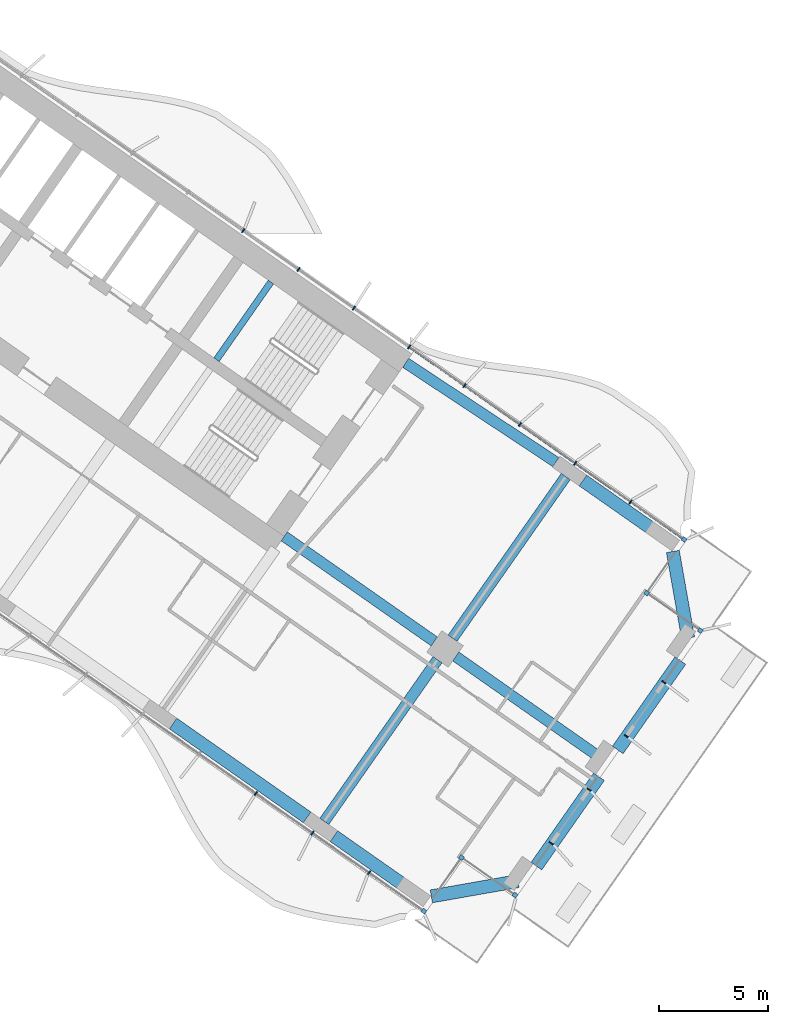
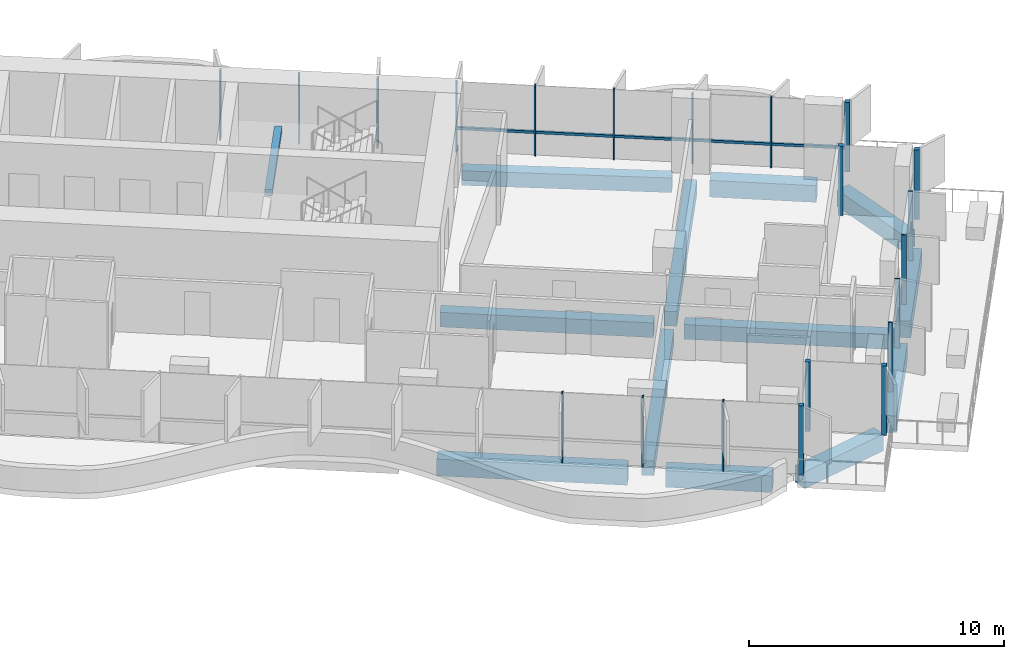
# One storey, part 9 of 25: 22 members, 13 beams, 6 elements without a shape of their own.
"""IFC4 building model written with IfcOpenShell, lengths in metres."""

from ifc_helpers import new_model, si_unit, direction, frame, origin, origin_2d, place, context, subcontext, project, spatial, rectangle, extrude, material, material_profile, profile_set, type_object, element, aggregate, save


model = new_model("IFC4")

# Units and contexts
model_context = context("Model", 3, precision=1e-05, world=origin(), true_north=direction((0.0, 1.0)))
body_context = subcontext(model_context, "Body", "Model", "MODEL_VIEW")
ifc_project = project(units=[si_unit("LENGTHUNIT", "METRE"), si_unit("AREAUNIT", "SQUARE_METRE"), si_unit("VOLUMEUNIT", "CUBIC_METRE"), si_unit("PLANEANGLEUNIT", "RADIAN"), si_unit("MASSUNIT", "GRAM", prefix="KILO")], contexts=[model_context])

# Site, building, storey
site_placement = place(None, origin())
site = spatial("IfcSite", under=ifc_project, at=site_placement, CompositionType="ELEMENT")
building_placement = place(site_placement, origin())
building = spatial("IfcBuilding", under=site, at=building_placement, Name="Tel Ilan Convention Tower", CompositionType="ELEMENT")
storey_placement = place(building_placement, frame((0.0, 0.0, 76.10009765625)))
storey = spatial("IfcBuildingStorey", under=building, at=storey_placement, Name="L14", CompositionType="ELEMENT", Elevation=76.10009765625)

# Beams
ifc_material_1 = material(Name="Concrete C40/50", Category="concrete")
ifc_material_profile_1 = material_profile(ifc_material_1, rectangle(XDim=0.5, YDim=0.699951171875, at=origin_2d()), Name="RC 500x700")
ifc_profile_set_1 = profile_set([ifc_material_profile_1], Name="Concrete C40/50")
beam_type_1 = type_object("IfcBeamType", Name="Beam RC 500x700 Concrete C40/50", PredefinedType="BEAM", material=ifc_profile_set_1)
beam_1_placement = place(storey_placement, frame((34.570556640625, -12.08447265625, -0.630126953125), z_axis=(-0.834273603487, 0.551350663847, 0.0), x_axis=(-0.551350663847, -0.834273603487, 0.0)))
element("IfcBeam", 1, at=beam_1_placement, inside=storey, type_object=beam_type_1, Name="L14 beam E-E-B4-core", PredefinedType="BEAM", context=body_context, shape_type="SweptSolid", body=[
    extrude(rectangle(XDim=0.5, YDim=0.699951171875, at=origin_2d()), origin(), (0.0, 0.0, 1.0), 8.2529296875),
])
beam_2_placement = place(storey_placement, frame((22.1171875, -15.486572265625, -0.630126953125), z_axis=(0.819147254605, -0.573583276668, 0.0), x_axis=(0.573583276668, 0.819147254605, 0.0)))
element("IfcBeam", 2, at=beam_2_placement, inside=storey, type_object=beam_type_1, Name="L14 beam E-core-E-M4", PredefinedType="BEAM", context=body_context, shape_type="SweptSolid", body=[
    extrude(rectangle(XDim=0.5, YDim=0.699951171875, at=origin_2d()), origin(), (0.0, 0.0, 1.0), 8.400146484375),
])
beam_3_placement = place(storey_placement, frame((29.98095703125, -20.992919921875, -0.630126953125), z_axis=(0.819147002204, -0.573583637128, 0.0), x_axis=(0.573583637128, 0.819147002204, 0.0)))
element("IfcBeam", 3, at=beam_3_placement, inside=storey, type_object=beam_type_1, Name="L14 beam E-E-M4-end", PredefinedType="BEAM", context=body_context, shape_type="SweptSolid", body=[
    extrude(rectangle(XDim=0.5, YDim=0.699951171875, at=origin_2d()), origin(), (0.0, 0.0, 1.0), 8.239990234375),
])
for number, where, z_axis, x_axis, name in (
    (4, (29.145263671875, -21.14013671875, -0.630126953125), (-0.573549245583, -0.819171082798, 0.0), (0.819171082798, -0.573549245583, 0.0), "L14 beam E-E-M4-E-F4"),
    (5, (29.83349609375, -20.1572265625, -0.630126953125), (0.57358002233, 0.819149533348, 0.0), (-0.819149533348, 0.57358002233, 0.0), "L14 beam E-E-M4-E-B4"),
):
    element("IfcBeam", number, at=place(storey_placement, frame(where, z_axis=z_axis, x_axis=x_axis)), inside=storey, type_object=beam_type_1, Name=name, PredefinedType="BEAM", context=body_context, shape_type="SweptSolid", body=[
        extrude(rectangle(XDim=0.5, YDim=0.699951171875, at=origin_2d()), origin(), (0.0, 0.0, 1.0), 9.050048828125),
    ])
ifc_material_2 = material(Name="Concrete C40/50", Category="concrete")
ifc_material_profile_2 = material_profile(ifc_material_2, rectangle(XDim=0.60009765625, YDim=0.800048828125, at=origin_2d()), Name="RC 600x800")
ifc_profile_set_2 = profile_set([ifc_material_profile_2], Name="Concrete C40/50")
beam_type_2 = type_object("IfcBeamType", Name="Beam RC 600x800 Concrete C40/50", PredefinedType="BEAM", material=ifc_profile_set_2)
beam_4_placement = place(storey_placement, frame((17.0244140625, -24.0673828125, -0.68017578125), z_axis=(0.81915238829, -0.573575945067, 0.0), x_axis=(0.573575945067, 0.81915238829, 0.0)))
element("IfcBeam", 6, at=beam_4_placement, inside=storey, type_object=beam_type_2, Name="L14 beam E-E-F3-E-F4", PredefinedType="BEAM", context=body_context, shape_type="SweptSolid", body=[
    extrude(rectangle(XDim=0.60009765625, YDim=0.800048828125, at=origin_2d()), origin(), (0.0, 0.0, 1.0), 7.5),
])
beam_5_placement = place(storey_placement, frame((24.396728515625, -29.2294921875, -0.68017578125), z_axis=(0.819158006169, -0.57356792181, 0.0), x_axis=(0.57356792181, 0.819158006169, 0.0)))
element("IfcBeam", 7, at=beam_5_placement, inside=storey, type_object=beam_type_2, Name="L14 beam E-E-F4-E-FC", PredefinedType="BEAM", context=body_context, shape_type="SweptSolid", body=[
    extrude(rectangle(XDim=0.60009765625, YDim=0.800048828125, at=origin_2d()), origin(), (0.0, 0.0, 1.0), 4.190185546875),
])
beam_6_placement = place(storey_placement, frame((28.861083984375, -31.9892578125, -0.68017578125), z_axis=(0.984806721117, 0.173654029734, 0.0), x_axis=(-0.173654029734, 0.984806721117, 0.0)))
element("IfcBeam", 8, at=beam_6_placement, inside=storey, type_object=beam_type_2, Name="L14 beam E-E-FC-E-E1", PredefinedType="BEAM", context=body_context, shape_type="SweptSolid", body=[
    extrude(rectangle(XDim=0.60009765625, YDim=0.800048828125, at=origin_2d()), origin(), (0.0, 0.0, 1.0), 4.03076171875),
])
for number, where, z_axis, x_axis, name in (
    (9, (33.678466796875, -30.601318359375, -0.68017578125), (0.573586866468, 0.819144740944, 0.0), (-0.819144740944, 0.573586866468, 0.0), "L14 beam E-E-E1-E-E2"),
    (10, (37.40673828125, -25.27685546875, -0.68017578125), (0.573586866468, 0.819144740944, 0.0), (-0.819144740944, 0.573586866468, 0.0), "L14 beam E-E-E2-E-E3"),
):
    element("IfcBeam", number, at=place(storey_placement, frame(where, z_axis=z_axis, x_axis=x_axis)), inside=storey, type_object=beam_type_2, Name=name, PredefinedType="BEAM", context=body_context, shape_type="SweptSolid", body=[
        extrude(rectangle(XDim=0.60009765625, YDim=0.800048828125, at=origin_2d()), origin(), (0.0, 0.0, 1.0), 5.0),
    ])
beam_7_placement = place(storey_placement, frame((40.631103515625, -20.14892578125, -0.68017578125), z_axis=(-0.173664388751, 0.984804894423, 0.0), x_axis=(-0.984804894423, -0.173664388751, 0.0)))
element("IfcBeam", 11, at=beam_7_placement, inside=storey, type_object=beam_type_2, Name="L14 beam E-E-E3-E-BC", PredefinedType="BEAM", context=body_context, shape_type="SweptSolid", body=[
    extrude(rectangle(XDim=0.60009765625, YDim=0.800048828125, at=origin_2d()), origin(), (0.0, 0.0, 1.0), 4.030517578125),
])
beam_8_placement = place(storey_placement, frame((39.2431640625, -15.331787109375, -0.68017578125), z_axis=(-0.819158006169, 0.57356792181, 0.0), x_axis=(-0.57356792181, -0.819158006169, 0.0)))
element("IfcBeam", 12, at=beam_8_placement, inside=storey, type_object=beam_type_2, Name="L14 beam E-E-BC-E-B4", PredefinedType="BEAM", context=body_context, shape_type="SweptSolid", body=[
    extrude(rectangle(XDim=0.60009765625, YDim=0.800048828125, at=origin_2d()), origin(), (0.0, 0.0, 1.0), 4.190185546875),
])

# Curtain wall, members
ifc_material_3 = material(Name="Aluminium, bronze anodised", Category="aluminium")
curtain_wall_type_1 = type_object("IfcCurtainWallType", Name="CW1 UNITISED CURTAIN WALL, HOTEL TINTED GLASS", PredefinedType="NOTDEFINED", material=ifc_material_3)
curtain_wall_1_placement = place(storey_placement, origin())
curtain_wall_1 = element("IfcCurtainWall", 13, at=curtain_wall_1_placement, inside=storey, type_object=curtain_wall_type_1, Name="Curtain wall CW1-14.04", PredefinedType="NOTDEFINED")
ifc_material_4 = material(Name="Aluminium, bronze anodised", Category="aluminium")
ifc_material_profile_3 = material_profile(ifc_material_4, rectangle(XDim=0.199951171875, YDim=0.199951171875, at=origin_2d()), Name="CW CORNER MULLION 200x200")
ifc_profile_set_3 = profile_set([ifc_material_profile_3], Name="Aluminium, bronze anodised")
member_type_1 = type_object("IfcMemberType", Name="CW CORNER MULLION 200x200", PredefinedType="MULLION", material=ifc_profile_set_3)
member_1_placement = place(storey_placement, frame((41.188232421875, -19.806640625, 0.0), z_axis=(0.0, 0.0, 1.0), x_axis=(0.573576436351, 0.819152044289, 0.0)))
member_1 = element("IfcMember", 14, at=member_1_placement, type_object=member_type_1, Name="Corner mullion", PredefinedType="MULLION", context=body_context, shape_type="SweptSolid", body=[
    extrude(rectangle(XDim=0.199951171875, YDim=0.199951171875, at=origin_2d()), origin(), (0.0, 0.0, 1.0), 3.31982421875),
])
member_2_placement = place(storey_placement, frame((38.730712890625, -18.0859375, 0.0), z_axis=(0.0, 0.0, 1.0), x_axis=(-0.819152044289, 0.573576436351, 0.0)))
member_2 = element("IfcMember", 15, at=member_2_placement, type_object=member_type_1, Name="Corner mullion", PredefinedType="MULLION", context=body_context, shape_type="SweptSolid", body=[
    extrude(rectangle(XDim=0.199951171875, YDim=0.199951171875, at=origin_2d()), origin(), (0.0, 0.0, 1.0), 3.31982421875),
])
member_3_placement = place(storey_placement, frame((40.451416015625, -15.62841796875, 0.0), z_axis=(0.0, 0.0, 1.0), x_axis=(0.573576436351, 0.819152044289, 0.0)))
member_3 = element("IfcMember", 16, at=member_3_placement, type_object=member_type_1, Name="Corner mullion", PredefinedType="MULLION", context=body_context, shape_type="SweptSolid", body=[
    extrude(rectangle(XDim=0.199951171875, YDim=0.199951171875, at=origin_2d()), origin(), (0.0, 0.0, 1.0), 3.31982421875),
])

curtain_wall_2_placement = place(storey_placement, origin())
curtain_wall_2 = element("IfcCurtainWall", 17, at=curtain_wall_2_placement, inside=storey, type_object=curtain_wall_type_1, Name="Curtain wall CW1-14.06", PredefinedType="NOTDEFINED")
member_4_placement = place(storey_placement, frame((28.52099609375, -32.666748046875, 0.0), z_axis=(0.0, 0.0, 1.0), x_axis=(0.819152044289, -0.573576436351, 0.0)))
member_4 = element("IfcMember", 18, at=member_4_placement, type_object=member_type_1, Name="Corner mullion", PredefinedType="MULLION", context=body_context, shape_type="SweptSolid", body=[
    extrude(rectangle(XDim=0.199951171875, YDim=0.199951171875, at=origin_2d()), origin(), (0.0, 0.0, 1.0), 3.31982421875),
])
member_5_placement = place(storey_placement, frame((30.241943359375, -30.209228515625, 0.0), z_axis=(0.0, 0.0, 1.0), x_axis=(0.573576436351, 0.819152044289, 0.0)))
member_5 = element("IfcMember", 19, at=member_5_placement, type_object=member_type_1, Name="Corner mullion", PredefinedType="MULLION", context=body_context, shape_type="SweptSolid", body=[
    extrude(rectangle(XDim=0.199951171875, YDim=0.199951171875, at=origin_2d()), origin(), (0.0, 0.0, 1.0), 3.31982421875),
])
member_6_placement = place(storey_placement, frame((32.69921875, -31.929931640625, 0.0), z_axis=(0.0, 0.0, 1.0), x_axis=(0.819152044289, -0.573576436351, 0.0)))
member_6 = element("IfcMember", 20, at=member_6_placement, type_object=member_type_1, Name="Corner mullion", PredefinedType="MULLION", context=body_context, shape_type="SweptSolid", body=[
    extrude(rectangle(XDim=0.199951171875, YDim=0.199951171875, at=origin_2d()), origin(), (0.0, 0.0, 1.0), 3.31982421875),
])

curtain_wall_3_placement = place(storey_placement, origin())
curtain_wall_3 = element("IfcCurtainWall", 21, at=curtain_wall_3_placement, inside=storey, type_object=curtain_wall_type_1, Name="Curtain wall CW1-14.01", PredefinedType="NOTDEFINED")
ifc_material_5 = material(Name="Aluminium, bronze anodised", Category="aluminium")
ifc_material_profile_4 = material_profile(ifc_material_5, rectangle(XDim=0.06005859375, YDim=0.199951171875, at=origin_2d()), Name="CW MULLION 60x200")
ifc_profile_set_4 = profile_set([ifc_material_profile_4], Name="Aluminium, bronze anodised")
member_type_2 = type_object("IfcMemberType", Name="CW MULLION 60x200", PredefinedType="MULLION", material=ifc_profile_set_4)
member_7_placement = place(storey_placement, frame((34.362548828125, -29.554443359375, 0.0), z_axis=(0.0, 0.0, 1.0), x_axis=(0.573576436351, 0.819152044289, 0.0)))
member_7 = element("IfcMember", 22, at=member_7_placement, type_object=member_type_2, Name="Mullion", PredefinedType="MULLION", context=body_context, shape_type="SweptSolid", body=[
    extrude(rectangle(XDim=0.06005859375, YDim=0.199951171875, at=origin_2d()), origin(), (0.0, 0.0, 1.0), 3.31982421875),
])
member_8_placement = place(storey_placement, frame((36.08349609375, -27.096923828125, 0.0), z_axis=(0.0, 0.0, 1.0), x_axis=(0.573576436351, 0.819152044289, 0.0)))
member_8 = element("IfcMember", 23, at=member_8_placement, type_object=member_type_2, Name="Mullion", PredefinedType="MULLION", context=body_context, shape_type="SweptSolid", body=[
    extrude(rectangle(XDim=0.06005859375, YDim=0.199951171875, at=origin_2d()), origin(), (0.0, 0.0, 1.0), 3.31982421875),
])
aggregate(curtain_wall_3, [member_7, member_8])

# Curtain wall, member
curtain_wall_4_placement = place(storey_placement, origin())
curtain_wall_4 = element("IfcCurtainWall", 24, at=curtain_wall_4_placement, inside=storey, type_object=curtain_wall_type_1, Name="Curtain wall CW1-14.02", PredefinedType="NOTDEFINED")
member_9_placement = place(storey_placement, frame((37.80419921875, -24.6396484375, 0.0), z_axis=(0.0, 0.0, 1.0), x_axis=(0.573576436351, 0.819152044289, 0.0)))
member_9 = element("IfcMember", 25, at=member_9_placement, type_object=member_type_2, Name="Mullion", PredefinedType="MULLION", context=body_context, shape_type="SweptSolid", body=[
    extrude(rectangle(XDim=0.06005859375, YDim=0.199951171875, at=origin_2d()), origin(), (0.0, 0.0, 1.0), 3.31982421875),
])
aggregate(curtain_wall_4, [member_9])

curtain_wall_5_placement = place(storey_placement, origin())
curtain_wall_5 = element("IfcCurtainWall", 26, at=curtain_wall_5_placement, inside=storey, type_object=curtain_wall_type_1, Name="Curtain wall CW1-14.03", PredefinedType="NOTDEFINED")
member_10_placement = place(storey_placement, frame((39.52490234375, -22.18212890625, 0.0), z_axis=(0.0, 0.0, 1.0), x_axis=(0.573576436351, 0.819152044289, 0.0)))
member_10 = element("IfcMember", 27, at=member_10_placement, type_object=member_type_2, Name="Mullion", PredefinedType="MULLION", context=body_context, shape_type="SweptSolid", body=[
    extrude(rectangle(XDim=0.06005859375, YDim=0.199951171875, at=origin_2d()), origin(), (0.0, 0.0, 1.0), 3.31982421875),
])
aggregate(curtain_wall_5, [member_10])

# Member
member_11_placement = place(storey_placement, frame((37.99658203125, -13.909423828125, 0.0), z_axis=(0.0, 0.0, 1.0), x_axis=(-0.819152044289, 0.573576436351, 0.0)))
member_11 = element("IfcMember", 28, at=member_11_placement, type_object=member_type_2, Name="Mullion", PredefinedType="MULLION", context=body_context, shape_type="SweptSolid", body=[
    extrude(rectangle(XDim=0.06005859375, YDim=0.199951171875, at=origin_2d()), origin(), (0.0, 0.0, 1.0), 3.31982421875),
])

member_12_placement = place(storey_placement, frame((35.45947265625, -12.133056640625, 0.0), z_axis=(0.0, 0.0, 1.0), x_axis=(-0.819152044289, 0.573576436351, 0.0)))
member_12 = element("IfcMember", 29, at=member_12_placement, type_object=member_type_2, Name="Mullion", PredefinedType="MULLION", context=body_context, shape_type="SweptSolid", body=[
    extrude(rectangle(XDim=0.06005859375, YDim=0.199951171875, at=origin_2d()), origin(), (0.0, 0.0, 1.0), 3.31982421875),
])

member_13_placement = place(storey_placement, frame((32.922607421875, -10.356689453125, 0.0), z_axis=(0.0, 0.0, 1.0), x_axis=(-0.819152044289, 0.573576436351, 0.0)))
member_13 = element("IfcMember", 30, at=member_13_placement, type_object=member_type_2, Name="Mullion", PredefinedType="MULLION", context=body_context, shape_type="SweptSolid", body=[
    extrude(rectangle(XDim=0.06005859375, YDim=0.199951171875, at=origin_2d()), origin(), (0.0, 0.0, 1.0), 3.31982421875),
])

member_14_placement = place(storey_placement, frame((30.3857421875, -8.580322265625, 0.0), z_axis=(0.0, 0.0, 1.0), x_axis=(-0.819152044289, 0.573576436351, 0.0)))
member_14 = element("IfcMember", 31, at=member_14_placement, type_object=member_type_2, Name="Mullion", PredefinedType="MULLION", context=body_context, shape_type="SweptSolid", body=[
    extrude(rectangle(XDim=0.06005859375, YDim=0.199951171875, at=origin_2d()), origin(), (0.0, 0.0, 1.0), 3.31982421875),
])

member_15_placement = place(storey_placement, frame((27.848876953125, -6.803955078125, 0.0), z_axis=(0.0, 0.0, 1.0), x_axis=(-0.819152044289, 0.573576436351, 0.0)))
member_15 = element("IfcMember", 32, at=member_15_placement, type_object=member_type_2, Name="Mullion", PredefinedType="MULLION", context=body_context, shape_type="SweptSolid", body=[
    extrude(rectangle(XDim=0.06005859375, YDim=0.199951171875, at=origin_2d()), origin(), (0.0, 0.0, 1.0), 3.31982421875),
])

# Curtain wall, members
ifc_material_6 = material(Name="Aluminium, bronze anodised", Category="aluminium")
curtain_wall_type_2 = type_object("IfcCurtainWallType", Name="CW2 STICK CURTAIN WALL, SPANDREL PANELS", PredefinedType="NOTDEFINED", material=ifc_material_6)
curtain_wall_6_placement = place(storey_placement, origin())
curtain_wall_6 = element("IfcCurtainWall", 33, at=curtain_wall_6_placement, inside=storey, type_object=curtain_wall_type_2, Name="Curtain wall CW2-14.05", PredefinedType="NOTDEFINED")
member_16_placement = place(storey_placement, frame((25.311767578125, -5.027587890625, 0.0), z_axis=(0.0, 0.0, 1.0), x_axis=(-0.819152044289, 0.573576436351, 0.0)))
member_16 = element("IfcMember", 34, at=member_16_placement, type_object=member_type_2, Name="Mullion", PredefinedType="MULLION", context=body_context, shape_type="SweptSolid", body=[
    extrude(rectangle(XDim=0.06005859375, YDim=0.199951171875, at=origin_2d()), origin(), (0.0, 0.0, 1.0), 3.31982421875),
])
member_17_placement = place(storey_placement, frame((22.77490234375, -3.251220703125, 0.0), z_axis=(0.0, 0.0, 1.0), x_axis=(-0.819152044289, 0.573576436351, 0.0)))
member_17 = element("IfcMember", 35, at=member_17_placement, type_object=member_type_2, Name="Mullion", PredefinedType="MULLION", context=body_context, shape_type="SweptSolid", body=[
    extrude(rectangle(XDim=0.06005859375, YDim=0.199951171875, at=origin_2d()), origin(), (0.0, 0.0, 1.0), 3.31982421875),
])
member_18_placement = place(storey_placement, frame((20.238037109375, -1.474853515625, 0.0), z_axis=(0.0, 0.0, 1.0), x_axis=(-0.819152044289, 0.573576436351, 0.0)))
member_18 = element("IfcMember", 36, at=member_18_placement, type_object=member_type_2, Name="Mullion", PredefinedType="MULLION", context=body_context, shape_type="SweptSolid", body=[
    extrude(rectangle(XDim=0.06005859375, YDim=0.199951171875, at=origin_2d()), origin(), (0.0, 0.0, 1.0), 3.31982421875),
])
aggregate(curtain_wall_6, [member_16, member_17, member_18])

# Member
member_19_placement = place(storey_placement, frame((20.81787109375, -27.27294921875, 0.0), z_axis=(0.0, 0.0, 1.0), x_axis=(0.819152044289, -0.573576436351, 0.0)))
member_19 = element("IfcMember", 37, at=member_19_placement, type_object=member_type_2, Name="Mullion", PredefinedType="MULLION", context=body_context, shape_type="SweptSolid", body=[
    extrude(rectangle(XDim=0.06005859375, YDim=0.199951171875, at=origin_2d()), origin(), (0.0, 0.0, 1.0), 3.31982421875),
])

member_20_placement = place(storey_placement, frame((23.412841796875, -29.08984375, 0.0), z_axis=(0.0, 0.0, 1.0), x_axis=(0.819152044289, -0.573576436351, 0.0)))
member_20 = element("IfcMember", 38, at=member_20_placement, type_object=member_type_2, Name="Mullion", PredefinedType="MULLION", context=body_context, shape_type="SweptSolid", body=[
    extrude(rectangle(XDim=0.06005859375, YDim=0.199951171875, at=origin_2d()), origin(), (0.0, 0.0, 1.0), 3.31982421875),
])

member_21_placement = place(storey_placement, frame((26.008056640625, -30.906982421875, 0.0), z_axis=(0.0, 0.0, 1.0), x_axis=(0.819152044289, -0.573576436351, 0.0)))
member_21 = element("IfcMember", 39, at=member_21_placement, type_object=member_type_2, Name="Mullion", PredefinedType="MULLION", context=body_context, shape_type="SweptSolid", body=[
    extrude(rectangle(XDim=0.06005859375, YDim=0.199951171875, at=origin_2d()), origin(), (0.0, 0.0, 1.0), 3.31982421875),
])

aggregate(curtain_wall_2, [member_19, member_20, member_21, member_4, member_5, member_6])

ifc_material_7 = material(Name="Aluminium, bronze anodised", Category="aluminium")
ifc_material_profile_5 = material_profile(ifc_material_7, rectangle(XDim=0.10009765625, YDim=0.1201171875, at=origin_2d()), Name="CW TRANSOM 100x120")
ifc_profile_set_5 = profile_set([ifc_material_profile_5], Name="Aluminium, bronze anodised")
member_type_3 = type_object("IfcMemberType", Name="CW TRANSOM 100x120", PredefinedType="USERDEFINED", material=ifc_profile_set_5)
member_22_placement = place(storey_placement, frame((40.36962890625, -15.571044921875, 1.099853515625), z_axis=(-0.819152967985, 0.573575117174, 0.0), x_axis=(-0.573575117174, -0.819152967985, 0.0)))
member_22 = element("IfcMember", 40, at=member_22_placement, type_object=member_type_3, Name="Transom", ObjectType="TRANSOM", PredefinedType="USERDEFINED", context=body_context, shape_type="SweptSolid", body=[
    extrude(rectangle(XDim=0.10009765625, YDim=0.1201171875, at=origin_2d()), origin(), (0.0, 0.0, 1.0), 15.255126953125),
])

aggregate(curtain_wall_1, [member_1, member_2, member_3, member_11, member_12, member_13, member_14, member_15, member_22])

# Beam
ifc_material_8 = material(Name="Concrete C40/50", Category="concrete")
ifc_material_profile_6 = material_profile(ifc_material_8, rectangle(XDim=0.300048828125, YDim=0.300048828125, at=origin_2d()), Name="RC 300x300")
ifc_profile_set_6 = profile_set([ifc_material_profile_6], Name="Concrete C40/50")
beam_type_3 = type_object("IfcBeamType", Name="Landing Beam RC 300x300 Concrete C40/50", PredefinedType="BEAM", material=ifc_profile_set_6)
beam_9_placement = place(storey_placement, frame((21.5087890625, -3.829345703125, 1.449951171875), z_axis=(-0.57356780395, -0.819158088694, 0.0), x_axis=(0.819158088694, -0.57356780395, 0.0)))
element("IfcBeam", 41, at=beam_9_placement, inside=storey, type_object=beam_type_3, Name="S3 landing beam L14.1", PredefinedType="BEAM", context=body_context, shape_type="SweptSolid", body=[
    extrude(rectangle(XDim=0.300048828125, YDim=0.300048828125, at=origin_2d()), origin(), (0.0, 0.0, 1.0), 4.35009765625),
])

save(model, "model.ifc")
